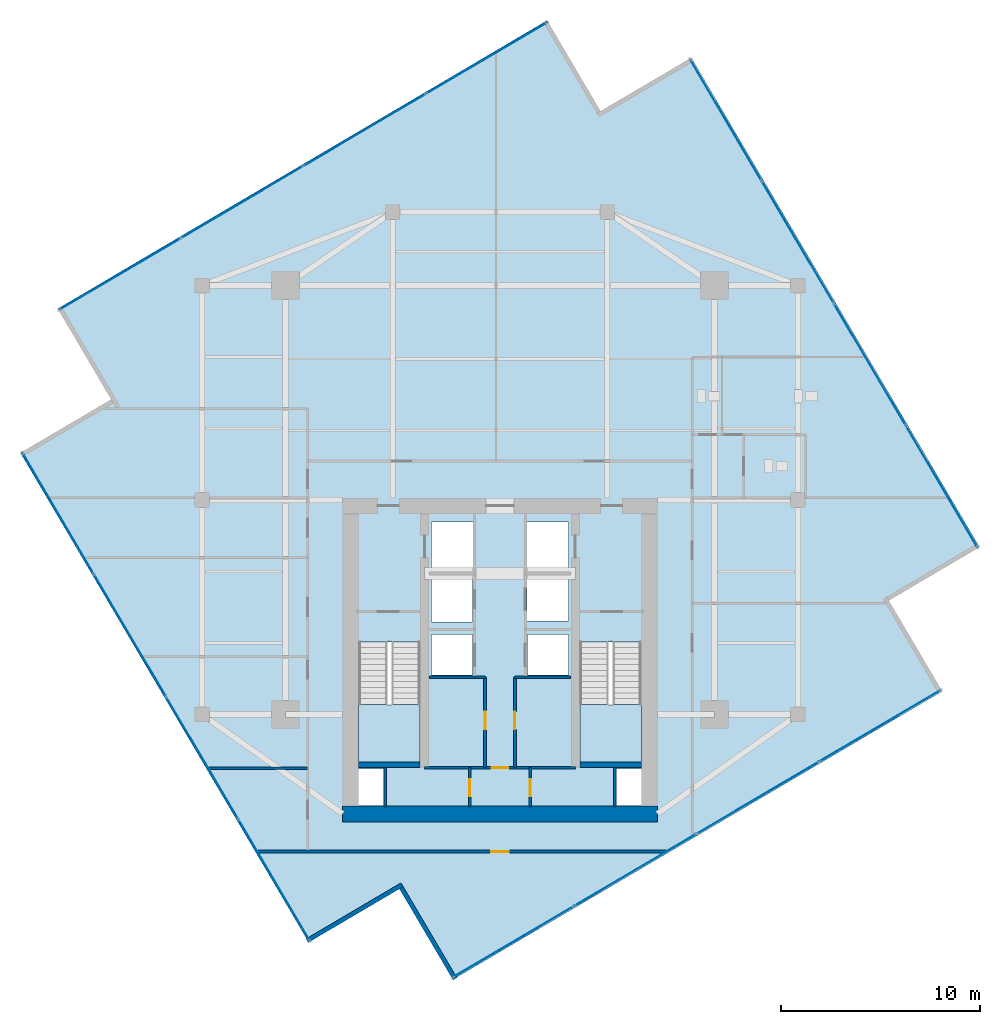
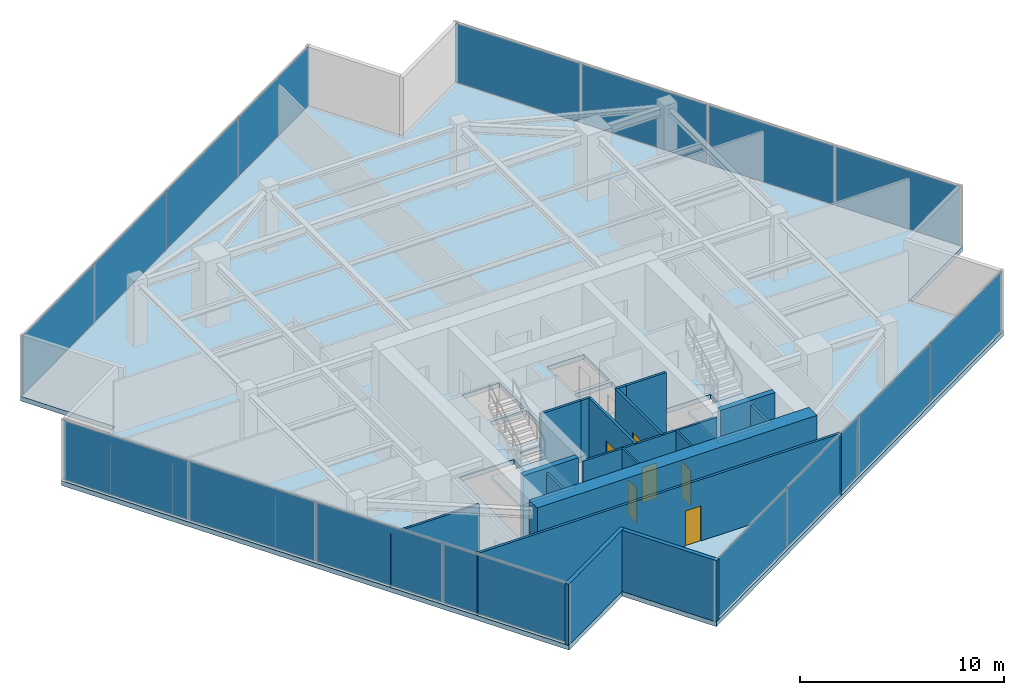
# One storey, part 16 of 20: 18 walls, 16 plates, 6 doors, 3 slabs, 6 openings, 6 elements without a shape of their own.
"""IFC4 building model written with IfcOpenShell, lengths in metres."""

from ifc_helpers import new_model, si_unit, direction, frame, frame_2d, origin, origin_2d, place, context, subcontext, project, spatial, polyline, rectangle, outline, extrude, source, transform, mapped, material, layer, layer_set, type_object, type_shapes, element, fill, aggregate, save


model = new_model("IFC4")

# Units and contexts
model_context = context("Model", 3, precision=1e-05, world=origin(), true_north=direction((0.0, 1.0)))
body_context = subcontext(model_context, "Body", "Model", "MODEL_VIEW")
ifc_project = project(units=[si_unit("LENGTHUNIT", "METRE"), si_unit("AREAUNIT", "SQUARE_METRE"), si_unit("VOLUMEUNIT", "CUBIC_METRE"), si_unit("PLANEANGLEUNIT", "RADIAN"), si_unit("MASSUNIT", "GRAM", prefix="KILO")], contexts=[model_context])

# Site, building, storey
site_placement = place(None, origin())
site = spatial("IfcSite", under=ifc_project, at=site_placement, CompositionType="ELEMENT")
building_placement = place(site_placement, origin())
building = spatial("IfcBuilding", under=site, at=building_placement, Name="Krantzveldt Concourse Tower", CompositionType="ELEMENT")
storey_placement = place(building_placement, frame((0.0, 0.0, 299.0)))
storey = spatial("IfcBuildingStorey", under=building, at=storey_placement, Name="L73", CompositionType="ELEMENT", Elevation=299.0)

# Stair, slab
ifc_material_1 = material(Name="Precast concrete C40/50", Category="concrete")
stair_type = type_object("IfcStairType", Name="STR-CORE-DOGLEG", PredefinedType="HALF_TURN_STAIR", material=ifc_material_1)
stair_1_placement = place(storey_placement, origin())
stair_1 = element("IfcStair", 1, at=stair_1_placement, inside=storey, type_object=stair_type, Name="L73 Protected Escape Stair ST-1", PredefinedType="HALF_TURN_STAIR")
ifc_layer_1 = layer(ifc_material_1, 0.199951171875, Name="Precast concrete C40/50", Category="concrete")
ifc_layer_set_1 = layer_set([ifc_layer_1], Name="Precast concrete C40/50 (SL-LANDING-200)")
slab_type_1 = type_object("IfcSlabType", Name="SL-LANDING-200", PredefinedType="LANDING", material=ifc_layer_set_1)
slab_1_placement = place(storey_placement, frame((0.0, 0.0, 1.77490234375)))
slab_1 = element("IfcSlab", 2, at=slab_1_placement, type_object=slab_type_1, Name="ST-1 landing 1", PredefinedType="LANDING", context=body_context, shape_type="SweptSolid", body=[
    extrude(outline(polyline([(28.8798828125, 16.4150390625), (28.8798828125, 13.52001953125), (31.97998046875, 13.52001953125), (31.97998046875, 16.4150390625), (28.8798828125, 16.4150390625)])), origin(), (0.0, 0.0, 1.0), 0.2001953125),
])
aggregate(stair_1, [slab_1])

stair_2_placement = place(storey_placement, origin())
stair_2 = element("IfcStair", 3, at=stair_2_placement, inside=storey, type_object=stair_type, Name="L73 Protected Escape Stair ST-2", PredefinedType="HALF_TURN_STAIR")
slab_2_placement = place(storey_placement, frame((0.0, 0.0, 1.77490234375)))
slab_2 = element("IfcSlab", 4, at=slab_2_placement, type_object=slab_type_1, Name="ST-2 landing 1", PredefinedType="LANDING", context=body_context, shape_type="SweptSolid", body=[
    extrude(outline(polyline([(40.02001953125, 16.4150390625), (40.02001953125, 13.52001953125), (43.1201171875, 13.52001953125), (43.1201171875, 16.4150390625), (40.02001953125, 16.4150390625)])), origin(), (0.0, 0.0, 1.0), 0.2001953125),
])
aggregate(stair_2, [slab_2])

# Slab
ifc_material_2 = material(Name="Concrete C40/50", Category="concrete")
ifc_layer_2 = layer(ifc_material_2, 0.280029296875, Name="Concrete C40/50", Category="concrete")
ifc_layer_set_2 = layer_set([ifc_layer_2], Name="Concrete C40/50 (SL-SL-TWR280)")
slab_type_2 = type_object("IfcSlabType", Name="SL-SL-TWR280", PredefinedType="FLOOR", material=ifc_layer_set_2)
slab_3_placement = place(storey_placement, frame((0.0, 0.0, -0.280029296875)))
element("IfcSlab", 5, at=slab_3_placement, inside=storey, type_object=slab_type_2, Name="SL-L73-MAIN", PredefinedType="FLOOR", context=body_context, shape_type="SweptSolid", body=[
    extrude(outline(polyline([(41.0634765625, 46.279052734375), (38.37353515625, 50.845703125), (13.73095703125, 36.330078125), (16.4208984375, 31.763427734375), (11.854248046875, 29.073486328125), (26.369873046875, 4.430908203125), (30.9365234375, 7.120849609375), (33.62646484375, 2.55419921875), (58.26904296875, 17.06982421875), (55.5791015625, 21.636474609375), (60.145751953125, 24.326416015625), (45.630126953125, 48.968994140625), (41.0634765625, 46.279052734375)]), holes=[polyline([(28.8798828125, 19.547607421875), (28.8798828125, 13.52001953125), (31.97998046875, 13.52001953125), (31.97998046875, 19.547607421875), (28.8798828125, 19.547607421875)]), polyline([(40.02001953125, 19.547607421875), (40.02001953125, 13.52001953125), (43.1201171875, 13.52001953125), (43.1201171875, 19.547607421875), (40.02001953125, 19.547607421875)]), polyline([(32.550048828125, 23.10009765625), (34.64990234375, 23.10009765625), (34.64990234375, 25.60009765625), (32.550048828125, 25.60009765625), (32.550048828125, 23.10009765625)]), polyline([(37.35009765625, 23.10009765625), (39.449951171875, 23.10009765625), (39.449951171875, 25.60009765625), (37.35009765625, 25.60009765625), (37.35009765625, 23.10009765625)]), polyline([(37.35009765625, 20.60009765625), (39.449951171875, 20.60009765625), (39.449951171875, 22.89990234375), (37.35009765625, 22.89990234375), (37.35009765625, 20.60009765625)]), polyline([(32.550048828125, 20.550048828125), (34.6201171875, 20.550048828125), (34.6201171875, 22.89990234375), (32.550048828125, 22.89990234375), (32.550048828125, 20.550048828125)]), polyline([(32.550048828125, 17.8798828125), (34.6201171875, 17.8798828125), (34.6201171875, 19.919921875), (32.550048828125, 19.919921875), (32.550048828125, 17.8798828125)]), polyline([(37.3798828125, 17.8798828125), (39.449951171875, 17.8798828125), (39.449951171875, 19.919921875), (37.3798828125, 19.919921875), (37.3798828125, 17.8798828125)]), polyline([(28.8798828125, 11.320068359375), (30.139892578125, 11.320068359375), (30.139892578125, 13.159912109375), (28.8798828125, 13.159912109375), (28.8798828125, 11.320068359375)]), polyline([(41.860107421875, 11.320068359375), (43.1201171875, 11.320068359375), (43.1201171875, 13.159912109375), (41.860107421875, 13.159912109375), (41.860107421875, 11.320068359375)])]), origin(), (0.0, 0.0, 1.0), 0.280029296875),
])

# Curtain wall, plates
ifc_material_3 = material(Name="Anodised aluminium 6063-T6", Category="aluminium")
curtain_wall_type = type_object("IfcCurtainWallType", Name="CW4", PredefinedType="USERDEFINED", material=ifc_material_3)
curtain_wall_1_placement = place(storey_placement, origin())
curtain_wall_1 = element("IfcCurtainWall", 6, at=curtain_wall_1_placement, inside=storey, type_object=curtain_wall_type, Name="CW-L73-F01", ObjectType="UNITISED CURTAIN WALL", PredefinedType="USERDEFINED")
ifc_material_4 = material(Name="Bronze-tinted laminated low-E IGU glass", Category="glass")
ifc_layer_3 = layer(ifc_material_4, 0.031982421875, Name="Bronze-tinted laminated low-E IGU glass", Category="glass")
ifc_layer_set_3 = layer_set([ifc_layer_3], Name="Bronze-tinted laminated low-E IGU glass (CW-GLZ-32)")
plate_type = type_object("IfcPlateType", Name="CW-GLZ-32", PredefinedType="CURTAIN_PANEL", material=ifc_layer_set_3)
shared_shape_1 = source(origin(), body_context, "Body", "SweptSolid", [
    extrude(rectangle(XDim=7.044921875, YDim=0.031982421875, at=origin_2d()), origin(), (0.0, 0.0, 1.0), 3.530029296875),
])
plate_1_placement = place(storey_placement, frame((35.32373046875, 48.94482421875, 0.06982421875), z_axis=(0.0, 0.0, 1.0), x_axis=(-0.861629171479, -0.507538344223, 0.0)))
plate_1 = element("IfcPlate", 7, at=plate_1_placement, type_object=plate_type, Name="CW-Z56 panel 1.1", PredefinedType="CURTAIN_PANEL", context=body_context, shape_type="MappedRepresentation", body=[
    mapped(shared_shape_1, transform((0.0, 0.0, 0.0), x_axis=(1.0, 0.0, 0.0), y_axis=(0.0, 1.0, 0.0), z_axis=(0.0, 0.0, 1.0), scale=1.0)),
])
plate_2_placement = place(storey_placement, frame((16.8720703125, 38.075927734375, 0.06982421875), z_axis=(0.0, 0.0, 1.0), x_axis=(-0.861629171479, -0.507538344223, 0.0)))
plate_2 = element("IfcPlate", 8, at=plate_2_placement, type_object=plate_type, Name="CW-Z56 panel 4.1", PredefinedType="CURTAIN_PANEL", context=body_context, shape_type="MappedRepresentation", body=[
    mapped(shared_shape_1, transform((0.0, 0.0, 0.0), x_axis=(1.0, 0.0, 0.0), y_axis=(0.0, 1.0, 0.0), z_axis=(0.0, 0.0, 1.0), scale=1.0)),
])

curtain_wall_2_placement = place(storey_placement, origin())
curtain_wall_2 = element("IfcCurtainWall", 9, at=curtain_wall_2_placement, inside=storey, type_object=curtain_wall_type, Name="CW-L73-F04", ObjectType="UNITISED CURTAIN WALL", PredefinedType="USERDEFINED")
plate_3_placement = place(storey_placement, frame((13.755126953125, 26.02392578125, 0.06982421875), z_axis=(0.0, 0.0, 1.0), x_axis=(0.507538344223, -0.861629171479, 0.0)))
plate_3 = element("IfcPlate", 10, at=plate_3_placement, type_object=plate_type, Name="CW-Z56 panel 1.1", PredefinedType="CURTAIN_PANEL", context=body_context, shape_type="MappedRepresentation", body=[
    mapped(shared_shape_1, transform((0.0, 0.0, 0.0), x_axis=(1.0, 0.0, 0.0), y_axis=(0.0, 1.0, 0.0), z_axis=(0.0, 0.0, 1.0), scale=1.0)),
])
plate_4_placement = place(storey_placement, frame((24.6240234375, 7.572021484375, 0.06982421875), z_axis=(0.0, 0.0, 1.0), x_axis=(0.507538344223, -0.861629171479, 0.0)))
plate_4 = element("IfcPlate", 11, at=plate_4_placement, type_object=plate_type, Name="CW-Z56 panel 4.1", PredefinedType="CURTAIN_PANEL", context=body_context, shape_type="MappedRepresentation", body=[
    mapped(shared_shape_1, transform((0.0, 0.0, 0.0), x_axis=(1.0, 0.0, 0.0), y_axis=(0.0, 1.0, 0.0), z_axis=(0.0, 0.0, 1.0), scale=1.0)),
])

curtain_wall_3_placement = place(storey_placement, origin())
curtain_wall_3 = element("IfcCurtainWall", 12, at=curtain_wall_3_placement, inside=storey, type_object=curtain_wall_type, Name="CW-L73-F07", ObjectType="UNITISED CURTAIN WALL", PredefinedType="USERDEFINED")
plate_5_placement = place(storey_placement, frame((36.67626953125, 4.455078125, 0.06982421875), z_axis=(0.0, 0.0, 1.0), x_axis=(0.861629171479, 0.507538344223, 0.0)))
plate_5 = element("IfcPlate", 13, at=plate_5_placement, type_object=plate_type, Name="CW-Z56 panel 1.1", PredefinedType="CURTAIN_PANEL", context=body_context, shape_type="MappedRepresentation", body=[
    mapped(shared_shape_1, transform((0.0, 0.0, 0.0), x_axis=(1.0, 0.0, 0.0), y_axis=(0.0, 1.0, 0.0), z_axis=(0.0, 0.0, 1.0), scale=1.0)),
])
plate_6_placement = place(storey_placement, frame((55.1279296875, 15.323974609375, 0.06982421875), z_axis=(0.0, 0.0, 1.0), x_axis=(0.861629171479, 0.507538344223, 0.0)))
plate_6 = element("IfcPlate", 14, at=plate_6_placement, type_object=plate_type, Name="CW-Z56 panel 4.1", PredefinedType="CURTAIN_PANEL", context=body_context, shape_type="MappedRepresentation", body=[
    mapped(shared_shape_1, transform((0.0, 0.0, 0.0), x_axis=(1.0, 0.0, 0.0), y_axis=(0.0, 1.0, 0.0), z_axis=(0.0, 0.0, 1.0), scale=1.0)),
])

curtain_wall_4_placement = place(storey_placement, origin())
curtain_wall_4 = element("IfcCurtainWall", 15, at=curtain_wall_4_placement, inside=storey, type_object=curtain_wall_type, Name="CW-L73-F10", ObjectType="UNITISED CURTAIN WALL", PredefinedType="USERDEFINED")
plate_7_placement = place(storey_placement, frame((58.244873046875, 27.376220703125, 0.06982421875), z_axis=(0.0, 0.0, 1.0), x_axis=(-0.507538344223, 0.861629171479, 0.0)))
plate_7 = element("IfcPlate", 16, at=plate_7_placement, type_object=plate_type, Name="CW-Z56 panel 1.1", PredefinedType="CURTAIN_PANEL", context=body_context, shape_type="MappedRepresentation", body=[
    mapped(shared_shape_1, transform((0.0, 0.0, 0.0), x_axis=(1.0, 0.0, 0.0), y_axis=(0.0, 1.0, 0.0), z_axis=(0.0, 0.0, 1.0), scale=1.0)),
])
plate_8_placement = place(storey_placement, frame((47.3759765625, 45.827880859375, 0.06982421875), z_axis=(0.0, 0.0, 1.0), x_axis=(-0.507538344223, 0.861629171479, 0.0)))
plate_8 = element("IfcPlate", 17, at=plate_8_placement, type_object=plate_type, Name="CW-Z56 panel 4.1", PredefinedType="CURTAIN_PANEL", context=body_context, shape_type="MappedRepresentation", body=[
    mapped(shared_shape_1, transform((0.0, 0.0, 0.0), x_axis=(1.0, 0.0, 0.0), y_axis=(0.0, 1.0, 0.0), z_axis=(0.0, 0.0, 1.0), scale=1.0)),
])

# Plate
shared_shape_2 = source(origin(), body_context, "Body", "SweptSolid", [
    extrude(rectangle(XDim=7.080078125, YDim=0.031982421875, at=origin_2d()), origin(), (0.0, 0.0, 1.0), 3.530029296875),
])
type_shapes(plate_type, [shared_shape_1, shared_shape_2])
plate_9_placement = place(storey_placement, frame((29.17822265625, 45.324951171875, 0.06982421875), z_axis=(0.0, 0.0, 1.0), x_axis=(-0.861629171479, -0.507538344223, 0.0)))
plate_9 = element("IfcPlate", 18, at=plate_9_placement, type_object=plate_type, Name="CW-Z56 panel 2.1", PredefinedType="CURTAIN_PANEL", context=body_context, shape_type="MappedRepresentation", body=[
    mapped(shared_shape_2, transform((0.0, 0.0, 0.0), x_axis=(1.0, 0.0, 0.0), y_axis=(0.0, 1.0, 0.0), z_axis=(0.0, 0.0, 1.0), scale=1.0)),
])

plate_10_placement = place(storey_placement, frame((23.017578125, 41.696044921875, 0.06982421875), z_axis=(0.0, 0.0, 1.0), x_axis=(-0.861629171479, -0.507538344223, 0.0)))
plate_10 = element("IfcPlate", 19, at=plate_10_placement, type_object=plate_type, Name="CW-Z56 panel 3.1", PredefinedType="CURTAIN_PANEL", context=body_context, shape_type="MappedRepresentation", body=[
    mapped(shared_shape_2, transform((0.0, 0.0, 0.0), x_axis=(1.0, 0.0, 0.0), y_axis=(0.0, 1.0, 0.0), z_axis=(0.0, 0.0, 1.0), scale=1.0)),
])

aggregate(curtain_wall_1, [plate_1, plate_9, plate_10, plate_2])

plate_11_placement = place(storey_placement, frame((17.375244140625, 19.878173828125, 0.06982421875), z_axis=(0.0, 0.0, 1.0), x_axis=(0.507538344223, -0.861629171479, 0.0)))
plate_11 = element("IfcPlate", 20, at=plate_11_placement, type_object=plate_type, Name="CW-Z56 panel 2.1", PredefinedType="CURTAIN_PANEL", context=body_context, shape_type="MappedRepresentation", body=[
    mapped(shared_shape_2, transform((0.0, 0.0, 0.0), x_axis=(1.0, 0.0, 0.0), y_axis=(0.0, 1.0, 0.0), z_axis=(0.0, 0.0, 1.0), scale=1.0)),
])

plate_12_placement = place(storey_placement, frame((21.004150390625, 13.717529296875, 0.06982421875), z_axis=(0.0, 0.0, 1.0), x_axis=(0.507538344223, -0.861629171479, 0.0)))
plate_12 = element("IfcPlate", 21, at=plate_12_placement, type_object=plate_type, Name="CW-Z56 panel 3.1", PredefinedType="CURTAIN_PANEL", context=body_context, shape_type="MappedRepresentation", body=[
    mapped(shared_shape_2, transform((0.0, 0.0, 0.0), x_axis=(1.0, 0.0, 0.0), y_axis=(0.0, 1.0, 0.0), z_axis=(0.0, 0.0, 1.0), scale=1.0)),
])

aggregate(curtain_wall_2, [plate_3, plate_11, plate_12, plate_4])

plate_13_placement = place(storey_placement, frame((42.82177734375, 8.0751953125, 0.06982421875), z_axis=(0.0, 0.0, 1.0), x_axis=(0.861629171479, 0.507538344223, 0.0)))
plate_13 = element("IfcPlate", 22, at=plate_13_placement, type_object=plate_type, Name="CW-Z56 panel 2.1", PredefinedType="CURTAIN_PANEL", context=body_context, shape_type="MappedRepresentation", body=[
    mapped(shared_shape_2, transform((0.0, 0.0, 0.0), x_axis=(1.0, 0.0, 0.0), y_axis=(0.0, 1.0, 0.0), z_axis=(0.0, 0.0, 1.0), scale=1.0)),
])

plate_14_placement = place(storey_placement, frame((48.982421875, 11.7041015625, 0.06982421875), z_axis=(0.0, 0.0, 1.0), x_axis=(0.861629171479, 0.507538344223, 0.0)))
plate_14 = element("IfcPlate", 23, at=plate_14_placement, type_object=plate_type, Name="CW-Z56 panel 3.1", PredefinedType="CURTAIN_PANEL", context=body_context, shape_type="MappedRepresentation", body=[
    mapped(shared_shape_2, transform((0.0, 0.0, 0.0), x_axis=(1.0, 0.0, 0.0), y_axis=(0.0, 1.0, 0.0), z_axis=(0.0, 0.0, 1.0), scale=1.0)),
])

aggregate(curtain_wall_3, [plate_5, plate_13, plate_14, plate_6])

plate_15_placement = place(storey_placement, frame((54.624755859375, 33.521728515625, 0.06982421875), z_axis=(0.0, 0.0, 1.0), x_axis=(-0.507538344223, 0.861629171479, 0.0)))
plate_15 = element("IfcPlate", 24, at=plate_15_placement, type_object=plate_type, Name="CW-Z56 panel 2.1", PredefinedType="CURTAIN_PANEL", context=body_context, shape_type="MappedRepresentation", body=[
    mapped(shared_shape_2, transform((0.0, 0.0, 0.0), x_axis=(1.0, 0.0, 0.0), y_axis=(0.0, 1.0, 0.0), z_axis=(0.0, 0.0, 1.0), scale=1.0)),
])

plate_16_placement = place(storey_placement, frame((50.995849609375, 39.682373046875, 0.06982421875), z_axis=(0.0, 0.0, 1.0), x_axis=(-0.507538344223, 0.861629171479, 0.0)))
plate_16 = element("IfcPlate", 25, at=plate_16_placement, type_object=plate_type, Name="CW-Z56 panel 3.1", PredefinedType="CURTAIN_PANEL", context=body_context, shape_type="MappedRepresentation", body=[
    mapped(shared_shape_2, transform((0.0, 0.0, 0.0), x_axis=(1.0, 0.0, 0.0), y_axis=(0.0, 1.0, 0.0), z_axis=(0.0, 0.0, 1.0), scale=1.0)),
])

aggregate(curtain_wall_4, [plate_7, plate_15, plate_16, plate_8])

# Walls
ifc_layer_4 = layer(ifc_material_3, 0.219970703125, Name="Anodised aluminium 6063-T6", Category="aluminium")
ifc_layer_set_4 = layer_set([ifc_layer_4], Name="Anodised aluminium 6063-T6 (WL-EXT-NOTCH220)")
wall_type_1 = type_object("IfcWallType", Name="WL-EXT-NOTCH220", PredefinedType="ELEMENTEDWALL", material=ifc_layer_set_4)
wall_1_placement = place(storey_placement, frame((26.29248046875, 4.512939453125, 0.0), z_axis=(0.0, 0.0, 1.0), x_axis=(0.861621670092, 0.507551078836, 0.0)))
element("IfcWall", 26, at=wall_1_placement, inside=storey, type_object=wall_type_1, Name="EW-L73-NCH05", PredefinedType="ELEMENTEDWALL", context=body_context, shape_type="SweptSolid", body=[
    extrude(rectangle(XDim=5.545166015625, YDim=0.219970703125, at=frame_2d((2.7724609375, 0.0))), origin(), (0.0, 0.0, 1.0), 3.669921875),
])
wall_2_placement = place(storey_placement, frame((31.03125, 7.1767578125, 0.0), z_axis=(0.0, 0.0, 1.0), x_axis=(0.507540984104, -0.861627616465, 0.0)))
element("IfcWall", 27, at=wall_2_placement, inside=storey, type_object=wall_type_1, Name="EW-L73-NCH06", PredefinedType="ELEMENTEDWALL", context=body_context, shape_type="SweptSolid", body=[
    extrude(rectangle(XDim=5.324951171875, YDim=0.219970703125, at=frame_2d((2.66259765625, 0.0))), origin(), (0.0, 0.0, 1.0), 3.669921875),
])

# Wall, opening, door
ifc_material_5 = material(Name="Fire-rated gypsum plasterboard on steel stud", Category="steel")
ifc_layer_5 = layer(ifc_material_5, 0.1201171875, Name="Fire-rated gypsum plasterboard on steel stud", Category="steel")
ifc_layer_set_5 = layer_set([ifc_layer_5], Name="Fire-rated gypsum plasterboard on steel stud (WL-PART-120)")
wall_type_2 = type_object("IfcWallType", Name="WL-PART-120", PredefinedType="PARTITIONING", material=ifc_layer_set_5)
wall_3_placement = place(storey_placement, frame((32.2099609375, 13.219970703125, 0.0), z_axis=(0.0, 0.0, 1.0), x_axis=(1.0, 0.0, 0.0)))
wall_3 = element("IfcWall", 28, at=wall_3_placement, inside=storey, type_object=wall_type_2, Name="WP-L73-CS2H", PredefinedType="PARTITIONING", context=body_context, shape_type="SweptSolid", body=[
    extrude(rectangle(XDim=7.580078125, YDim=0.1201171875, at=frame_2d((3.7900390625, 0.0))), origin(), (0.0, 0.0, 1.0), 3.669921875),
])
opening_1_placement = place(wall_3_placement, frame((3.364990234375, 0.0, 0.0)))
opening_1 = element("IfcOpeningElement", 29, at=opening_1_placement, cuts=wall_3, Name="Opening D-IN085", PredefinedType="OPENING", context=body_context, shape_type="SweptSolid", body=[
    extrude(rectangle(XDim=0.85009765625, YDim=2.10009765625, at=frame_2d((0.425048828125, 1.050048828125))), frame((0.0, 0.070068359375, 0.0), z_axis=(0.0, -1.0, 0.0), x_axis=(1.0, 0.0, 0.0)), (0.0, 0.0, 1.0), 0.14013671875),
])
ifc_material_6 = material(Name="Hardwood timber", Category="wood")
door_type_1 = type_object("IfcDoorType", Name="DR-INT-850", OperationType="SINGLE_SWING_LEFT", PredefinedType="DOOR", material=ifc_material_6)
door_1_placement = place(opening_1_placement, origin())
door_1 = element("IfcDoor", 30, at=door_1_placement, inside=storey, type_object=door_type_1, Name="DR-L73-LLBS", OperationType="SINGLE_SWING_RIGHT", OverallHeight=2.10009765625, OverallWidth=0.85009765625, PredefinedType="DOOR", context=body_context, shape_type="SweptSolid", body=[
    extrude(rectangle(XDim=0.85009765625, YDim=2.10009765625, at=frame_2d((0.425048828125, 1.050048828125))), frame((0.0, 0.02490234375, 0.0), z_axis=(0.0, -1.0, 0.0), x_axis=(1.0, 0.0, 0.0)), (0.0, 0.0, 1.0), 0.050048828125),
])
fill(opening_1, door_1)

wall_4_placement = place(storey_placement, frame((34.47998046875, 11.25, 0.0), z_axis=(0.0, 0.0, 1.0), x_axis=(0.0, 1.0, 0.0)))
wall_4 = element("IfcWall", 31, at=wall_4_placement, inside=storey, type_object=wall_type_2, Name="WP-L73-CSB-VL", PredefinedType="PARTITIONING", context=body_context, shape_type="SweptSolid", body=[
    extrude(rectangle(XDim=1.969970703125, YDim=0.1201171875, at=frame_2d((0.98486328125, 0.0))), origin(), (0.0, 0.0, 1.0), 3.669921875),
])
opening_2_placement = place(wall_4_placement, frame((0.544921875, 0.0, 0.0)))
opening_2 = element("IfcOpeningElement", 32, at=opening_2_placement, cuts=wall_4, Name="Opening D-IN085", PredefinedType="OPENING", context=body_context, shape_type="SweptSolid", body=[
    extrude(rectangle(XDim=0.85009765625, YDim=2.10009765625, at=frame_2d((0.425048828125, 1.050048828125))), frame((0.0, 0.070068359375, 0.0), z_axis=(0.0, -1.0, 0.0), x_axis=(1.0, 0.0, 0.0)), (0.0, 0.0, 1.0), 0.14013671875),
])
door_2_placement = place(opening_2_placement, origin())
door_2 = element("IfcDoor", 33, at=door_2_placement, inside=storey, type_object=door_type_1, Name="DR-L73-CSB1", OperationType="SINGLE_SWING_LEFT", OverallHeight=2.10009765625, OverallWidth=0.85009765625, PredefinedType="DOOR", context=body_context, shape_type="SweptSolid", body=[
    extrude(rectangle(XDim=0.85009765625, YDim=2.10009765625, at=frame_2d((0.425048828125, 1.050048828125))), frame((0.0, 0.02490234375, 0.0), z_axis=(0.0, -1.0, 0.0), x_axis=(1.0, 0.0, 0.0)), (0.0, 0.0, 1.0), 0.050048828125),
])
fill(opening_2, door_2)

wall_5_placement = place(storey_placement, frame((37.52001953125, 11.25, 0.0), z_axis=(0.0, 0.0, 1.0), x_axis=(0.0, 1.0, 0.0)))
wall_5 = element("IfcWall", 34, at=wall_5_placement, inside=storey, type_object=wall_type_2, Name="WP-L73-CSB-VR", PredefinedType="PARTITIONING", context=body_context, shape_type="SweptSolid", body=[
    extrude(rectangle(XDim=1.969970703125, YDim=0.1201171875, at=frame_2d((0.98486328125, 0.0))), origin(), (0.0, 0.0, 1.0), 3.669921875),
])
opening_3_placement = place(wall_5_placement, frame((0.544921875, 0.0, 0.0)))
opening_3 = element("IfcOpeningElement", 35, at=opening_3_placement, cuts=wall_5, Name="Opening D-IN085", PredefinedType="OPENING", context=body_context, shape_type="SweptSolid", body=[
    extrude(rectangle(XDim=0.85009765625, YDim=2.10009765625, at=frame_2d((0.425048828125, 1.050048828125))), frame((0.0, 0.070068359375, 0.0), z_axis=(0.0, -1.0, 0.0), x_axis=(1.0, 0.0, 0.0)), (0.0, 0.0, 1.0), 0.14013671875),
])
door_3_placement = place(opening_3_placement, origin())
door_3 = element("IfcDoor", 36, at=door_3_placement, inside=storey, type_object=door_type_1, Name="DR-L73-CSB2", OperationType="SINGLE_SWING_RIGHT", OverallHeight=2.10009765625, OverallWidth=0.85009765625, PredefinedType="DOOR", context=body_context, shape_type="SweptSolid", body=[
    extrude(rectangle(XDim=0.85009765625, YDim=2.10009765625, at=frame_2d((0.425048828125, 1.050048828125))), frame((0.0, 0.02490234375, 0.0), z_axis=(0.0, -1.0, 0.0), x_axis=(1.0, 0.0, 0.0)), (0.0, 0.0, 1.0), 0.050048828125),
])
fill(opening_3, door_3)

# Wall
wall_6_placement = place(storey_placement, frame((21.30908203125, 13.199951171875, 0.0), z_axis=(0.0, 0.0, 1.0), x_axis=(1.0, 0.0, 0.0)))
element("IfcWall", 37, at=wall_6_placement, inside=storey, type_object=wall_type_2, Name="WP-L73-WD1", PredefinedType="PARTITIONING", context=body_context, shape_type="SweptSolid", body=[
    extrude(rectangle(XDim=5.010986328125, YDim=0.1201171875, at=frame_2d((2.50537109375, 0.0))), origin(), (0.0, 0.0, 1.0), 3.179931640625),
])

# Wall, opening, door
ifc_layer_6 = layer(ifc_material_5, 0.139892578125, Name="Fire-rated gypsum plasterboard on steel stud", Category="steel")
ifc_layer_set_6 = layer_set([ifc_layer_6], Name="Fire-rated gypsum plasterboard on steel stud (WL-PART-140)")
wall_type_3 = type_object("IfcWallType", Name="WL-PART-140", PredefinedType="PARTITIONING", material=ifc_layer_set_6)
wall_7_placement = place(storey_placement, frame((23.782958984375, 9.0, 0.0), z_axis=(0.0, 0.0, 1.0), x_axis=(1.0, 0.0, 0.0)))
wall_7 = element("IfcWall", 38, at=wall_7_placement, inside=storey, type_object=wall_type_3, Name="WP-L73-CSBOT", PredefinedType="PARTITIONING", context=body_context, shape_type="SweptSolid", body=[
    extrude(rectangle(XDim=20.60888671875, YDim=0.139892578125, at=frame_2d((10.304443359375, 0.0))), origin(), (0.0, 0.0, 1.0), 3.669921875),
])
opening_4_placement = place(wall_7_placement, frame((11.76708984375, 0.0, 0.0)))
opening_4 = element("IfcOpeningElement", 39, at=opening_4_placement, cuts=wall_7, Name="Opening D-IN090", PredefinedType="OPENING", context=body_context, shape_type="SweptSolid", body=[
    extrude(rectangle(XDim=0.89990234375, YDim=2.10009765625, at=frame_2d((0.449951171875, 1.050048828125))), frame((0.0, 0.080078125, 0.0), z_axis=(0.0, -1.0, 0.0), x_axis=(1.0, 0.0, 0.0)), (0.0, 0.0, 1.0), 0.159912109375),
])
door_type_2 = type_object("IfcDoorType", Name="DR-INT-900", OperationType="SINGLE_SWING_LEFT", PredefinedType="DOOR", material=ifc_material_6)
door_4_placement = place(opening_4_placement, origin())
door_4 = element("IfcDoor", 40, at=door_4_placement, inside=storey, type_object=door_type_2, Name="DR-L73-SR1", OperationType="SINGLE_SWING_LEFT", OverallHeight=2.10009765625, OverallWidth=0.89990234375, PredefinedType="DOOR", context=body_context, shape_type="SweptSolid", body=[
    extrude(rectangle(XDim=0.89990234375, YDim=2.10009765625, at=frame_2d((0.449951171875, 1.050048828125))), frame((0.0, 0.02490234375, 0.0), z_axis=(0.0, -1.0, 0.0), x_axis=(1.0, 0.0, 0.0)), (0.0, 0.0, 1.0), 0.050048828125),
])
fill(opening_4, door_4)

# Walls
ifc_layer_7 = layer(ifc_material_5, 0.139892578125, Name="Fire-rated gypsum plasterboard on steel stud", Category="steel")
ifc_layer_set_7 = layer_set([ifc_layer_7], Name="Fire-rated gypsum plasterboard on steel stud (WL-PART-FR140)")
wall_type_4 = type_object("IfcWallType", Name="WL-PART-FR140", PredefinedType="PARTITIONING", material=ifc_layer_set_7)
for number, where, z_axis, x_axis, name in (
    (41, (32.449951171875, 17.780029296875, 0.0), (0.0, 0.0, 1.0), (1.0, 0.0, 0.0), "WP-L73-DIVW2"),
    (42, (37.280029296875, 17.780029296875, 0.0), (0.0, 0.0, 1.0), (1.0, 0.0, 0.0), "WP-L73-DIVE2"),
):
    element("IfcWall", number, at=place(storey_placement, frame(where, z_axis=z_axis, x_axis=x_axis)), inside=storey, type_object=wall_type_4, Name=name, PredefinedType="PARTITIONING", context=body_context, shape_type="SweptSolid", body=[
        extrude(rectangle(XDim=2.27001953125, YDim=0.139892578125, at=frame_2d((1.135009765625, 0.0))), origin(), (0.0, 0.0, 1.0), 3.669921875),
    ])

# Wall, opening, door
wall_8_placement = place(storey_placement, frame((35.25, 13.219970703125, 0.0), z_axis=(0.0, 0.0, 1.0), x_axis=(0.0, 1.0, 0.0)))
wall_8 = element("IfcWall", 43, at=wall_8_placement, inside=storey, type_object=wall_type_4, Name="WP-L73-RECW", PredefinedType="PARTITIONING", context=body_context, shape_type="SweptSolid", body=[
    extrude(rectangle(XDim=4.56005859375, YDim=0.139892578125, at=frame_2d((2.280029296875, 0.0))), origin(), (0.0, 0.0, 1.0), 3.669921875),
])
opening_5_placement = place(wall_8_placement, frame((1.929931640625, 0.0, 0.0)))
opening_5 = element("IfcOpeningElement", 44, at=opening_5_placement, cuts=wall_8, Name="Opening D-FD090", PredefinedType="OPENING", context=body_context, shape_type="SweptSolid", body=[
    extrude(rectangle(XDim=0.89990234375, YDim=2.10009765625, at=frame_2d((0.449951171875, 1.050048828125))), frame((0.0, 0.080078125, 0.0), z_axis=(0.0, -1.0, 0.0), x_axis=(1.0, 0.0, 0.0)), (0.0, 0.0, 1.0), 0.159912109375),
])
door_type_3 = type_object("IfcDoorType", Name="DR-FD60-900", OperationType="SINGLE_SWING_LEFT", PredefinedType="DOOR", material=ifc_material_6)
door_5_placement = place(opening_5_placement, origin())
door_5 = element("IfcDoor", 45, at=door_5_placement, inside=storey, type_object=door_type_3, Name="DR-L73-RECW", OperationType="SINGLE_SWING_LEFT", OverallHeight=2.10009765625, OverallWidth=0.89990234375, PredefinedType="DOOR", context=body_context, shape_type="SweptSolid", body=[
    extrude(rectangle(XDim=0.89990234375, YDim=2.10009765625, at=frame_2d((0.449951171875, 1.050048828125))), frame((0.0, 0.02490234375, 0.0), z_axis=(0.0, -1.0, 0.0), x_axis=(1.0, 0.0, 0.0)), (0.0, 0.0, 1.0), 0.050048828125),
])
fill(opening_5, door_5)

# Wall
wall_9_placement = place(storey_placement, frame((34.719970703125, 17.780029296875, 0.0), z_axis=(0.0, 0.0, 1.0), x_axis=(1.0, 0.0, 0.0)))
element("IfcWall", 46, at=wall_9_placement, inside=storey, type_object=wall_type_4, Name="WP-L73-RECWN", PredefinedType="PARTITIONING", context=body_context, shape_type="SweptSolid", body=[
    extrude(rectangle(XDim=0.530029296875, YDim=0.139892578125, at=frame_2d((0.26513671875, 0.0))), origin(), (0.0, 0.0, 1.0), 3.669921875),
])

# Wall, opening, door
wall_10_placement = place(storey_placement, frame((36.75, 13.219970703125, 0.0), z_axis=(0.0, 0.0, 1.0), x_axis=(0.0, 1.0, 0.0)))
wall_10 = element("IfcWall", 47, at=wall_10_placement, inside=storey, type_object=wall_type_4, Name="WP-L73-RECE", PredefinedType="PARTITIONING", context=body_context, shape_type="SweptSolid", body=[
    extrude(rectangle(XDim=4.56005859375, YDim=0.139892578125, at=frame_2d((2.280029296875, 0.0))), origin(), (0.0, 0.0, 1.0), 3.669921875),
])
opening_6_placement = place(wall_10_placement, frame((1.929931640625, 0.0, 0.0)))
opening_6 = element("IfcOpeningElement", 48, at=opening_6_placement, cuts=wall_10, Name="Opening D-FD090", PredefinedType="OPENING", context=body_context, shape_type="SweptSolid", body=[
    extrude(rectangle(XDim=0.89990234375, YDim=2.10009765625, at=frame_2d((0.449951171875, 1.050048828125))), frame((0.0, 0.080078125, 0.0), z_axis=(0.0, -1.0, 0.0), x_axis=(1.0, 0.0, 0.0)), (0.0, 0.0, 1.0), 0.159912109375),
])
door_6_placement = place(opening_6_placement, origin())
door_6 = element("IfcDoor", 49, at=door_6_placement, inside=storey, type_object=door_type_3, Name="DR-L73-RECE", OperationType="SINGLE_SWING_RIGHT", OverallHeight=2.10009765625, OverallWidth=0.89990234375, PredefinedType="DOOR", context=body_context, shape_type="SweptSolid", body=[
    extrude(rectangle(XDim=0.89990234375, YDim=2.10009765625, at=frame_2d((0.449951171875, 1.050048828125))), frame((0.0, 0.02490234375, 0.0), z_axis=(0.0, -1.0, 0.0), x_axis=(1.0, 0.0, 0.0)), (0.0, 0.0, 1.0), 0.050048828125),
])
fill(opening_6, door_6)

# Walls
wall_11_placement = place(storey_placement, frame((36.75, 17.780029296875, 0.0), z_axis=(0.0, 0.0, 1.0), x_axis=(1.0, 0.0, 0.0)))
element("IfcWall", 50, at=wall_11_placement, inside=storey, type_object=wall_type_4, Name="WP-L73-RECEN", PredefinedType="PARTITIONING", context=body_context, shape_type="SweptSolid", body=[
    extrude(rectangle(XDim=0.530029296875, YDim=0.139892578125, at=frame_2d((0.26513671875, 0.0))), origin(), (0.0, 0.0, 1.0), 3.669921875),
])
for number, where, z_axis, x_axis, name in (
    (51, (30.219970703125, 11.25, 0.0), (0.0, 0.0, 1.0), (0.0, 1.0, 0.0), "WP-L73-RSW"),
    (52, (41.780029296875, 11.25, 0.0), (0.0, 0.0, 1.0), (0.0, 1.0, 0.0), "WP-L73-RSE"),
):
    element("IfcWall", number, at=place(storey_placement, frame(where, z_axis=z_axis, x_axis=x_axis)), inside=storey, type_object=wall_type_4, Name=name, PredefinedType="PARTITIONING", context=body_context, shape_type="SweptSolid", body=[
        extrude(rectangle(XDim=1.969970703125, YDim=0.1201171875, at=frame_2d((0.98486328125, 0.0))), origin(), (0.0, 0.0, 1.0), 3.669921875),
    ])
ifc_material_7 = material(Name="Concrete C50/60", Category="concrete")
ifc_layer_8 = layer(ifc_material_7, 0.300048828125, Name="Concrete C50/60", Category="concrete")
ifc_layer_set_8 = layer_set([ifc_layer_8], Name="Concrete C50/60 (WL-SHEAR-300)")
wall_type_5 = type_object("IfcWallType", Name="WL-SHEAR-300", PredefinedType="SHEAR", material=ifc_layer_set_8)
for number, where, z_axis, x_axis, name in (
    (53, (28.8798828125, 13.3701171875, 0.0), (0.0, 0.0, 1.0), (1.0, 0.0, 0.0), "CW-L73-ST1S"),
    (54, (40.02001953125, 13.3701171875, 0.0), (0.0, 0.0, 1.0), (1.0, 0.0, 0.0), "CW-L73-ST2S"),
):
    element("IfcWall", number, at=place(storey_placement, frame(where, z_axis=z_axis, x_axis=x_axis)), inside=storey, type_object=wall_type_5, Name=name, PredefinedType="SHEAR", context=body_context, shape_type="SweptSolid", body=[
        extrude(rectangle(XDim=3.10009765625, YDim=0.300048828125, at=frame_2d((1.550048828125, 0.0))), origin(), (0.0, 0.0, 1.0), 3.949951171875),
    ])
ifc_material_8 = material(Name="Concrete C60/75", Category="concrete")
ifc_layer_9 = layer(ifc_material_8, 0.800048828125, Name="Concrete C60/75", Category="concrete")
ifc_layer_set_9 = layer_set([ifc_layer_9], Name="Concrete C60/75 (WL-SHEAR-800)")
wall_type_6 = type_object("IfcWallType", Name="WL-SHEAR-800", PredefinedType="SHEAR", material=ifc_layer_set_9)
wall_12_placement = place(storey_placement, frame((28.080078125, 10.89990234375, 0.0), z_axis=(0.0, 0.0, 1.0), x_axis=(1.0, 0.0, 0.0)))
element("IfcWall", 55, at=wall_12_placement, inside=storey, type_object=wall_type_6, Name="CW-L73-S", PredefinedType="SHEAR", context=body_context, shape_type="SweptSolid", body=[
    extrude(rectangle(XDim=15.83984375, YDim=0.800048828125, at=frame_2d((7.919921875, 0.0))), origin(), (0.0, 0.0, 1.0), 3.949951171875),
])

save(model, "model.ifc")
